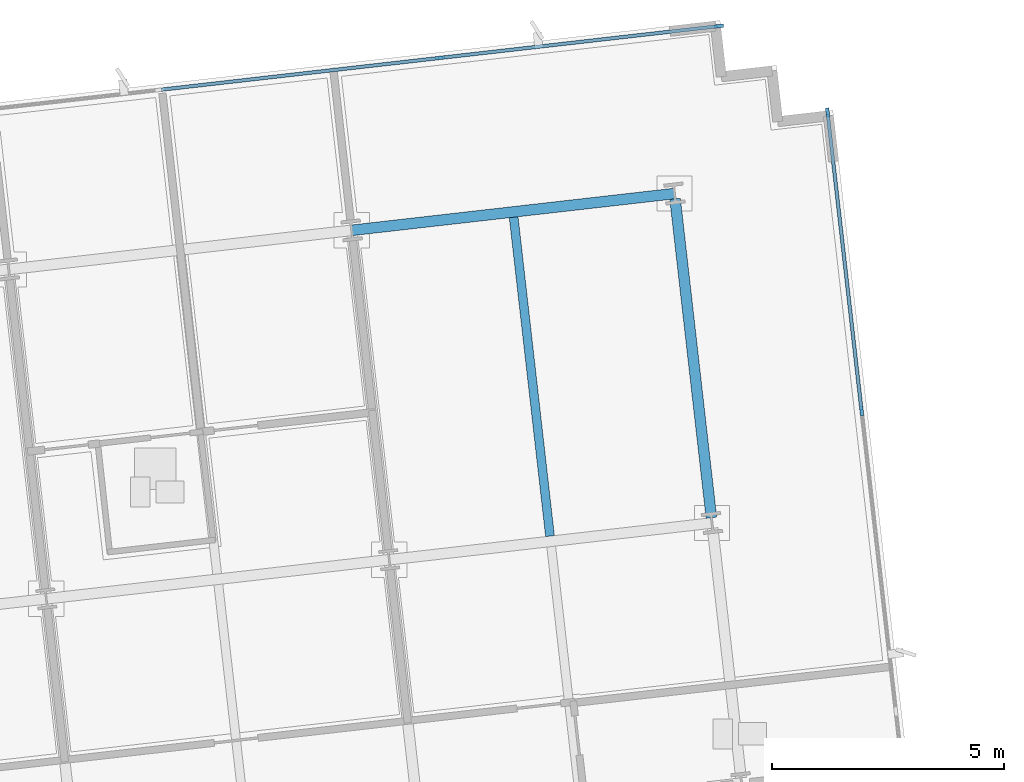
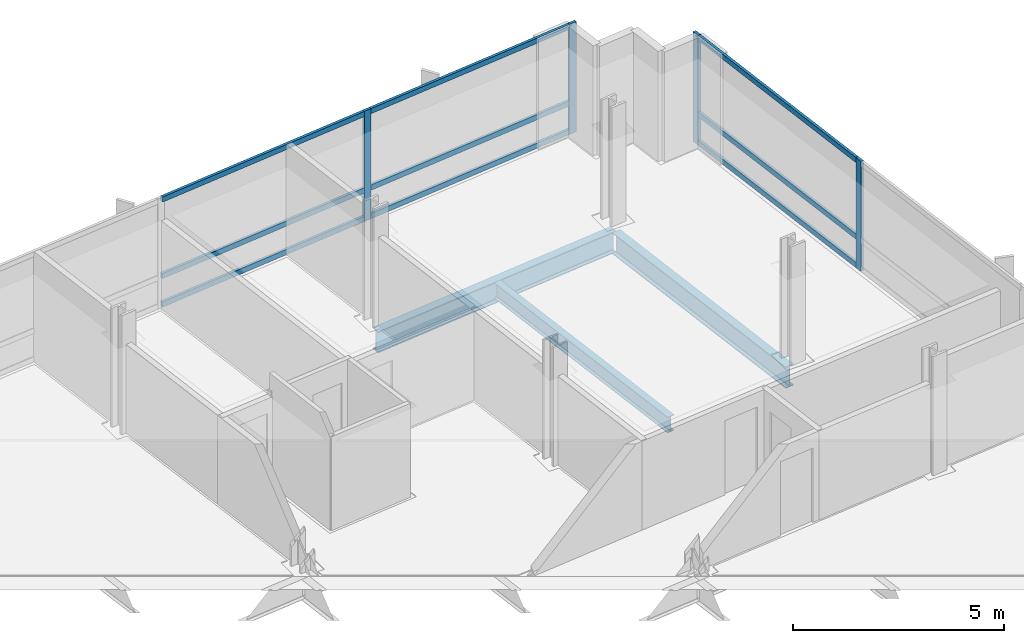
# One storey, part 6 of 15: 13 members, 3 beams, 2 elements without a shape of their own.
"""IFC4 building model written with IfcOpenShell, lengths in metres."""

from ifc_helpers import new_model, si_unit, direction, frame, origin, origin_2d, place, context, subcontext, project, spatial, rectangle, i_section, extrude, material, material_profile, profile_set, type_object, element, aggregate, save


model = new_model("IFC4")

# Units and contexts
model_context = context("Model", 3, precision=1e-05, world=origin(), true_north=direction((0.0, 1.0)))
body_context = subcontext(model_context, "Body", "Model", "MODEL_VIEW")
ifc_project = project(units=[si_unit("LENGTHUNIT", "METRE"), si_unit("AREAUNIT", "SQUARE_METRE"), si_unit("VOLUMEUNIT", "CUBIC_METRE"), si_unit("PLANEANGLEUNIT", "RADIAN"), si_unit("MASSUNIT", "GRAM", prefix="KILO")], contexts=[model_context])

# Site, building, storey
site_placement = place(None, origin())
site = spatial("IfcSite", under=ifc_project, at=site_placement, CompositionType="ELEMENT")
building_placement = place(site_placement, origin())
building = spatial("IfcBuilding", under=site, at=building_placement, Name="Solmavex Isthmus Hotel", CompositionType="ELEMENT")
storey_placement = place(building_placement, frame((0.0, 0.0, 226.199951171875)))
storey = spatial("IfcBuildingStorey", under=building, at=storey_placement, Name="L61", CompositionType="ELEMENT", Elevation=226.199951171875)

# Beams
ifc_material_1 = material(Name="Steel ASTM A992 Grade 50", Category="steel")
ifc_material_profile_1 = material_profile(ifc_material_1, i_section(OverallWidth=0.1904296875, OverallDepth=0.456787109375, WebThickness=0.009033203125, FlangeThickness=0.014404296875, FilletRadius=0.0126953125, at=origin_2d()), Name="W18X50")
ifc_profile_set_1 = profile_set([ifc_material_profile_1], Name="Steel ASTM A992 Grade 50")
beam_type_1 = type_object("IfcBeamType", Name="BM-BJ-W18X50", PredefinedType="JOIST", material=ifc_profile_set_1)
beam_1_placement = place(storey_placement, frame((21.587646484375, 11.7939453125, -0.48828125), z_axis=(-0.113202453846, 0.993571942258, 0.0), x_axis=(-0.993571942258, -0.113202453846, 0.0)))
element("IfcBeam", 1, at=beam_1_placement, inside=storey, type_object=beam_type_1, Name="Secondary Floor Joist L61-J21", PredefinedType="JOIST", context=body_context, shape_type="SweptSolid", body=[
    extrude(i_section(OverallWidth=0.1904296875, OverallDepth=0.456787109375, WebThickness=0.009033203125, FlangeThickness=0.014404296875, FilletRadius=0.0126953125, at=origin_2d()), origin(), (0.0, 0.0, 1.0), 6.9228515625),
])
ifc_material_profile_2 = material_profile(ifc_material_1, i_section(OverallWidth=0.230224609375, OverallDepth=0.617431640625, WebThickness=0.01318359375, FlangeThickness=0.022216796875, FilletRadius=0.01513671875, at=origin_2d()), Name="W24X94")
ifc_profile_set_2 = profile_set([ifc_material_profile_2], Name="Steel ASTM A992 Grade 50")
beam_type_2 = type_object("IfcBeamType", Name="BM-SP-W24X94", PredefinedType="SPANDREL", material=ifc_profile_set_2)
beam_2_placement = place(storey_placement, frame((17.3095703125, 18.39013671875, -0.568603515625), z_axis=(0.99357359356, 0.113187959519, 0.0), x_axis=(-0.113187959519, 0.99357359356, 0.0)))
element("IfcBeam", 2, at=beam_2_placement, inside=storey, type_object=beam_type_2, Name="Floor Girder L61-UG23", PredefinedType="SPANDREL", context=body_context, shape_type="SweptSolid", body=[
    extrude(i_section(OverallWidth=0.230224609375, OverallDepth=0.617431640625, WebThickness=0.01318359375, FlangeThickness=0.022216796875, FilletRadius=0.01513671875, at=origin_2d()), origin(), (0.0, 0.0, 1.0), 7.0078125),
])
beam_3_placement = place(storey_placement, frame((25.0693359375, 12.1904296875, -0.568603515625), z_axis=(-0.113202453846, 0.993571942258, 0.0), x_axis=(-0.993571942258, -0.113202453846, 0.0)))
element("IfcBeam", 3, at=beam_3_placement, inside=storey, type_object=beam_type_2, Name="Floor Beam L61-VG45", PredefinedType="SPANDREL", context=body_context, shape_type="SweptSolid", body=[
    extrude(i_section(OverallWidth=0.230224609375, OverallDepth=0.617431640625, WebThickness=0.01318359375, FlangeThickness=0.022216796875, FilletRadius=0.01513671875, at=origin_2d()), origin(), (0.0, 0.0, 1.0), 6.9228515625),
])

# Curtain wall, members
ifc_material_2 = material(Name="Aluminium alloy 6063-T6", Category="aluminium")
curtain_wall_type = type_object("IfcCurtainWallType", Name="CW-SYS-04", PredefinedType="NOTDEFINED", material=ifc_material_2)
curtain_wall_1_placement = place(storey_placement, origin())
curtain_wall_1 = element("IfcCurtainWall", 4, at=curtain_wall_1_placement, inside=storey, type_object=curtain_wall_type, Name="Stick Curtain Wall CWL-L61-N3", PredefinedType="NOTDEFINED")
ifc_material_profile_3 = material_profile(ifc_material_2, rectangle(XDim=0.074951171875, YDim=0.199951171875, at=origin_2d()), Name="CWM-75X200")
ifc_profile_set_3 = profile_set([ifc_material_profile_3], Name="Aluminium alloy 6063-T6")
member_type_1 = type_object("IfcMemberType", Name="CW-SYS-04-MUL", PredefinedType="MULLION", material=ifc_profile_set_3)
member_1_placement = place(storey_placement, frame((19.21630859375, 22.10986328125, 0.0), z_axis=(0.0, 0.0, 1.0), x_axis=(-0.113203493636, 0.99357182379, 0.0)))
member_1 = element("IfcMember", 5, at=member_1_placement, type_object=member_type_1, Name="CW-04 mullion 3", PredefinedType="MULLION", context=body_context, shape_type="SweptSolid", body=[
    extrude(rectangle(XDim=0.074951171875, YDim=0.199951171875, at=origin_2d()), origin(), (0.0, 0.0, 1.0), 3.18994140625),
])
member_2_placement = place(storey_placement, frame((25.232177734375, 22.795166015625, 0.0), z_axis=(0.0, 0.0, 1.0), x_axis=(-0.113203493636, 0.99357182379, 0.0)))
member_2 = element("IfcMember", 6, at=member_2_placement, type_object=member_type_1, Name="CW-04 mullion 4", PredefinedType="MULLION", context=body_context, shape_type="SweptSolid", body=[
    extrude(rectangle(XDim=0.074951171875, YDim=0.199951171875, at=origin_2d()), origin(), (0.0, 0.0, 1.0), 3.18994140625),
])

curtain_wall_2_placement = place(storey_placement, origin())
curtain_wall_2 = element("IfcCurtainWall", 7, at=curtain_wall_2_placement, inside=storey, type_object=curtain_wall_type, Name="Stick Curtain Wall CWL-L61-E1", PredefinedType="NOTDEFINED")
member_3_placement = place(storey_placement, frame((28.309814453125, 14.490234375, 0.0), z_axis=(0.0, 0.0, 1.0), x_axis=(-0.993571836648, -0.11320338078, 0.0)))
member_3 = element("IfcMember", 8, at=member_3_placement, type_object=member_type_1, Name="CW-04 mullion 5", PredefinedType="MULLION", context=body_context, shape_type="SweptSolid", body=[
    extrude(rectangle(XDim=0.074951171875, YDim=0.199951171875, at=origin_2d()), origin(), (0.0, 0.0, 1.0), 3.18994140625),
])
member_4_placement = place(storey_placement, frame((27.575927734375, 20.93115234375, 0.0), z_axis=(0.0, 0.0, 1.0), x_axis=(-0.993571836648, -0.11320338078, 0.0)))
member_4 = element("IfcMember", 9, at=member_4_placement, type_object=member_type_1, Name="CW-04 mullion 6", PredefinedType="MULLION", context=body_context, shape_type="SweptSolid", body=[
    extrude(rectangle(XDim=0.074951171875, YDim=0.199951171875, at=origin_2d()), origin(), (0.0, 0.0, 1.0), 3.18994140625),
])

# Member
ifc_material_profile_4 = material_profile(ifc_material_2, rectangle(XDim=0.074951171875, YDim=0.14990234375, at=origin_2d()), Name="CWT-75X150")
ifc_profile_set_4 = profile_set([ifc_material_profile_4], Name="Aluminium alloy 6063-T6")
member_type_2 = type_object("IfcMemberType", Name="CW-SYS-04-TRN", PredefinedType="USERDEFINED", material=ifc_profile_set_4)
member_5_placement = place(storey_placement, frame((13.200439453125, 21.42431640625, 0.074951171875), z_axis=(0.993572627374, 0.113196440458, 0.0), x_axis=(-0.113196440458, 0.993572627374, 0.0)))
member_5 = element("IfcMember", 10, at=member_5_placement, type_object=member_type_2, Name="CW-04 transom 2.1", ObjectType="TRANSOM", PredefinedType="USERDEFINED", context=body_context, shape_type="SweptSolid", body=[
    extrude(rectangle(XDim=0.074951171875, YDim=0.14990234375, at=origin_2d()), origin(), (0.0, 0.0, 1.0), 6.017333984375),
])

member_6_placement = place(storey_placement, frame((13.200439453125, 21.42431640625, 0.900146484375), z_axis=(0.993572627374, 0.113196440458, 0.0), x_axis=(-0.113196440458, 0.993572627374, 0.0)))
member_6 = element("IfcMember", 11, at=member_6_placement, type_object=member_type_2, Name="CW-04 transom 2.2", ObjectType="TRANSOM", PredefinedType="USERDEFINED", context=body_context, shape_type="SweptSolid", body=[
    extrude(rectangle(XDim=0.074951171875, YDim=0.14990234375, at=origin_2d()), origin(), (0.0, 0.0, 1.0), 6.017333984375),
])

member_7_placement = place(storey_placement, frame((13.200439453125, 21.42431640625, 3.114990234375), z_axis=(0.993572627374, 0.113196440458, 0.0), x_axis=(-0.113196440458, 0.993572627374, 0.0)))
member_7 = element("IfcMember", 12, at=member_7_placement, type_object=member_type_2, Name="CW-04 transom 2.3", ObjectType="TRANSOM", PredefinedType="USERDEFINED", context=body_context, shape_type="SweptSolid", body=[
    extrude(rectangle(XDim=0.074951171875, YDim=0.14990234375, at=origin_2d()), origin(), (0.0, 0.0, 1.0), 6.017333984375),
])

member_8_placement = place(storey_placement, frame((19.253662109375, 22.114013671875, 0.074951171875), z_axis=(0.993570647741, 0.113213815179, 0.0), x_axis=(-0.113213815179, 0.993570647741, 0.0)))
member_8 = element("IfcMember", 13, at=member_8_placement, type_object=member_type_2, Name="CW-04 transom 3.1", ObjectType="TRANSOM", PredefinedType="USERDEFINED", context=body_context, shape_type="SweptSolid", body=[
    extrude(rectangle(XDim=0.074951171875, YDim=0.14990234375, at=origin_2d()), origin(), (0.0, 0.0, 1.0), 5.979736328125),
])

member_9_placement = place(storey_placement, frame((19.253662109375, 22.114013671875, 0.900146484375), z_axis=(0.993570647741, 0.113213815179, 0.0), x_axis=(-0.113213815179, 0.993570647741, 0.0)))
member_9 = element("IfcMember", 14, at=member_9_placement, type_object=member_type_2, Name="CW-04 transom 3.2", ObjectType="TRANSOM", PredefinedType="USERDEFINED", context=body_context, shape_type="SweptSolid", body=[
    extrude(rectangle(XDim=0.074951171875, YDim=0.14990234375, at=origin_2d()), origin(), (0.0, 0.0, 1.0), 5.979736328125),
])

member_10_placement = place(storey_placement, frame((19.253662109375, 22.114013671875, 3.114990234375), z_axis=(0.993570647741, 0.113213815179, 0.0), x_axis=(-0.113213815179, 0.993570647741, 0.0)))
member_10 = element("IfcMember", 15, at=member_10_placement, type_object=member_type_2, Name="CW-04 transom 3.3", ObjectType="TRANSOM", PredefinedType="USERDEFINED", context=body_context, shape_type="SweptSolid", body=[
    extrude(rectangle(XDim=0.074951171875, YDim=0.14990234375, at=origin_2d()), origin(), (0.0, 0.0, 1.0), 5.979736328125),
])

aggregate(curtain_wall_1, [member_1, member_2, member_5, member_6, member_7, member_8, member_9, member_10])

member_11_placement = place(storey_placement, frame((28.305419921875, 14.527587890625, 0.074951171875), z_axis=(-0.113203780919, 0.993571791058, 0.0), x_axis=(-0.993571791058, -0.113203780919, 0.0)))
member_11 = element("IfcMember", 16, at=member_11_placement, type_object=member_type_2, Name="CW-04 transom 5.1", ObjectType="TRANSOM", PredefinedType="USERDEFINED", context=body_context, shape_type="SweptSolid", body=[
    extrude(rectangle(XDim=0.074951171875, YDim=0.14990234375, at=origin_2d()), origin(), (0.0, 0.0, 1.0), 6.407470703125),
])

member_12_placement = place(storey_placement, frame((28.305419921875, 14.527587890625, 0.900146484375), z_axis=(-0.113203780919, 0.993571791058, 0.0), x_axis=(-0.993571791058, -0.113203780919, 0.0)))
member_12 = element("IfcMember", 17, at=member_12_placement, type_object=member_type_2, Name="CW-04 transom 5.2", ObjectType="TRANSOM", PredefinedType="USERDEFINED", context=body_context, shape_type="SweptSolid", body=[
    extrude(rectangle(XDim=0.074951171875, YDim=0.14990234375, at=origin_2d()), origin(), (0.0, 0.0, 1.0), 6.407470703125),
])

member_13_placement = place(storey_placement, frame((28.305419921875, 14.527587890625, 3.114990234375), z_axis=(-0.113203780919, 0.993571791058, 0.0), x_axis=(-0.993571791058, -0.113203780919, 0.0)))
member_13 = element("IfcMember", 18, at=member_13_placement, type_object=member_type_2, Name="CW-04 transom 5.3", ObjectType="TRANSOM", PredefinedType="USERDEFINED", context=body_context, shape_type="SweptSolid", body=[
    extrude(rectangle(XDim=0.074951171875, YDim=0.14990234375, at=origin_2d()), origin(), (0.0, 0.0, 1.0), 6.407470703125),
])

aggregate(curtain_wall_2, [member_3, member_4, member_11, member_12, member_13])

save(model, "model.ifc")
